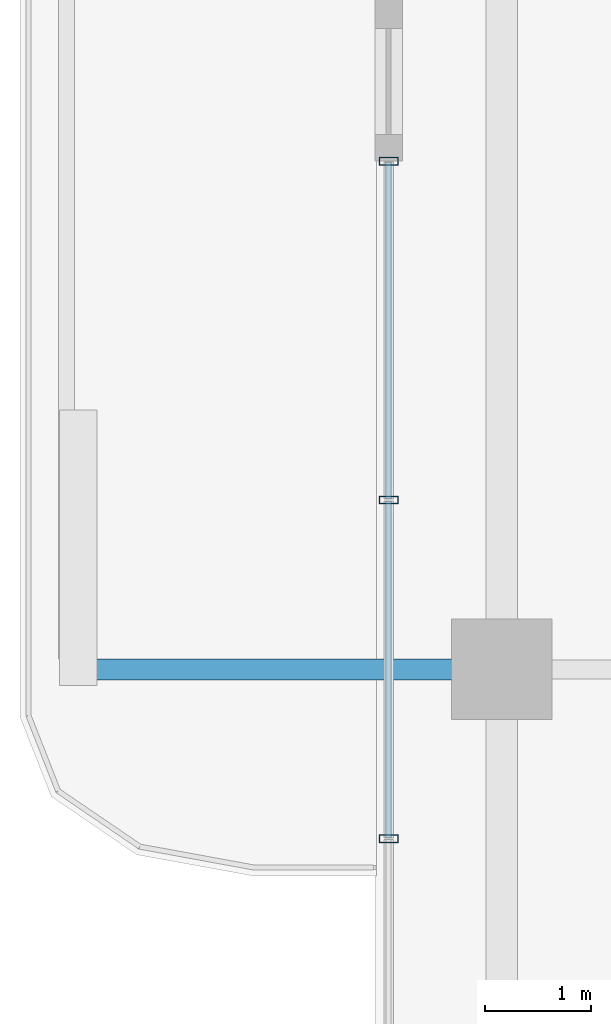
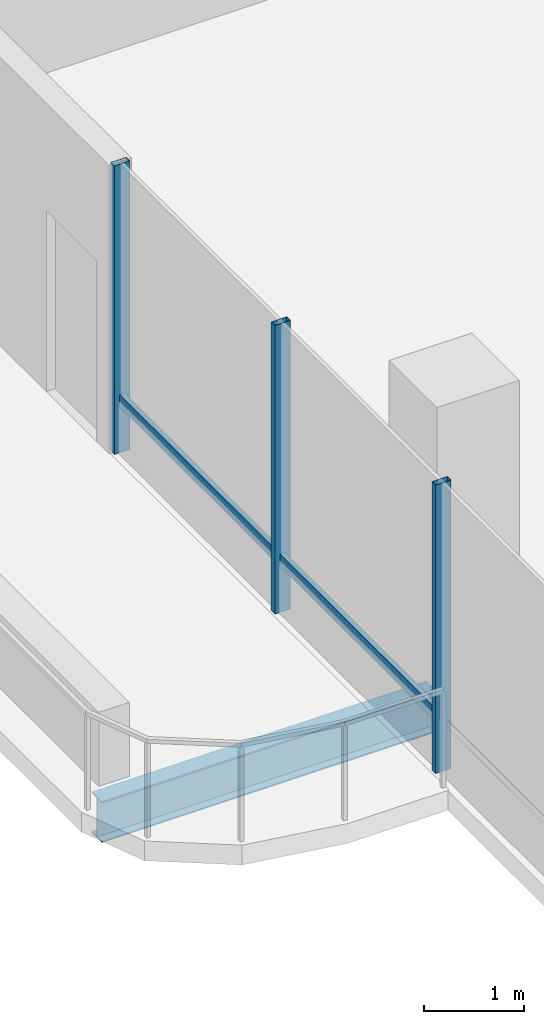
# One storey, part 6 of 17: 5 members, 1 beam, 1 element without a shape of its own.
"""IFC4 building model written with IfcOpenShell, lengths in metres."""

from ifc_helpers import new_model, si_unit, direction, frame, origin, origin_2d, place, context, subcontext, project, spatial, hollow_rectangle, i_section, extrude, material, layer, layer_set, material_profile, profile_set, type_object, element, aggregate, save


model = new_model("IFC4")

# Units and contexts
model_context = context("Model", 3, precision=1e-05, world=origin(), true_north=direction((0.0, 1.0)))
body_context = subcontext(model_context, "Body", "Model", "MODEL_VIEW")
ifc_project = project(units=[si_unit("LENGTHUNIT", "METRE"), si_unit("AREAUNIT", "SQUARE_METRE"), si_unit("VOLUMEUNIT", "CUBIC_METRE"), si_unit("PLANEANGLEUNIT", "RADIAN"), si_unit("MASSUNIT", "GRAM", prefix="KILO")], contexts=[model_context])

# Site, building, storey
site_placement = place(None, origin())
site = spatial("IfcSite", under=ifc_project, at=site_placement, CompositionType="ELEMENT")
building_placement = place(site_placement, origin())
building = spatial("IfcBuilding", under=site, at=building_placement, Name="Belovzor Exchange Tower", CompositionType="ELEMENT")
storey_placement = place(building_placement, frame((0.0, 0.0, 325.5)))
storey = spatial("IfcBuildingStorey", under=building, at=storey_placement, Name="L81", CompositionType="ELEMENT", Elevation=325.5)

# Beam
ifc_material_1 = material(Name="Steel S355", Category="steel")
ifc_material_profile_1 = material_profile(ifc_material_1, i_section(OverallWidth=0.199951171875, OverallDepth=0.5, WebThickness=0.01025390625, FlangeThickness=0.01611328125, at=origin_2d()))
ifc_profile_set_1 = profile_set([ifc_material_profile_1], Name="Steel S355")
beam_type = type_object("IfcBeamType", Name="Planted Balcony Cantilever Beam IPE 500", PredefinedType="BEAM", material=ifc_profile_set_1)
beam_placement = place(storey_placement, frame((6.93896484375, 28.800048828125, -0.489990234375), z_axis=(-1.0, 0.0, 0.0), x_axis=(0.0, -1.0, 0.0)))
element("IfcBeam", 1, at=beam_placement, inside=storey, type_object=beam_type, Name="BC-500 Planted Balcony Cantilever Beam IPE 500", PredefinedType="BEAM", context=body_context, shape_type="SweptSolid", body=[
    extrude(i_section(OverallWidth=0.199951171875, OverallDepth=0.5, WebThickness=0.01025390625, FlangeThickness=0.01611328125, at=origin_2d()), origin(), (0.0, 0.0, 1.0), 3.849853515625),
])

# Curtain wall, members
ifc_material_2 = material(Name="Anodised Aluminium Framing", Category="aluminium")
ifc_layer = layer(ifc_material_2, 0.179931640625)
ifc_layer_set = layer_set([ifc_layer], Name="Anodised Aluminium Framing")
curtain_wall_type = type_object("IfcCurtainWallType", Name="Recessed Loggia Low-Iron Triple-Glazed Curtain Wall", PredefinedType="NOTDEFINED", material=ifc_layer_set)
curtain_wall_placement = place(storey_placement, origin())
curtain_wall = element("IfcCurtainWall", 2, at=curtain_wall_placement, inside=storey, type_object=curtain_wall_type, Name="CW3 Recessed Loggia Low-Iron Triple-Glazed Curtain Wall L81", PredefinedType="NOTDEFINED")
ifc_material_3 = material(Name="Steel S355", Category="steel")
ifc_material_profile_2 = material_profile(ifc_material_3, hollow_rectangle(XDim=0.074951171875, YDim=0.179931640625, WallThickness=0.0048828125, at=origin_2d()))
ifc_profile_set_2 = profile_set([ifc_material_profile_2], Name="Steel S355")
member_type_1 = type_object("IfcMemberType", Name="Thermally Broken Curtain Wall Mullion 180x75", PredefinedType="MULLION", material=ifc_profile_set_2)
member_1_placement = place(storey_placement, frame((6.1298828125, 27.199951171875, 0.0), z_axis=(0.0, 0.0, 1.0), x_axis=(0.0, 1.0, 0.0)))
member_1 = element("IfcMember", 3, at=member_1_placement, type_object=member_type_1, Name="CW-M180 Curtain Wall Mullion 2", PredefinedType="MULLION", context=body_context, shape_type="SweptSolid", body=[
    extrude(hollow_rectangle(XDim=0.074951171875, YDim=0.179931640625, WallThickness=0.0048828125, at=origin_2d()), origin(), (0.0, 0.0, 1.0), 3.510009765625),
])
member_2_placement = place(storey_placement, frame((6.1298828125, 30.39990234375, 0.0), z_axis=(0.0, 0.0, 1.0), x_axis=(0.0, 1.0, 0.0)))
member_2 = element("IfcMember", 4, at=member_2_placement, type_object=member_type_1, Name="CW-M180 Curtain Wall Mullion 3", PredefinedType="MULLION", context=body_context, shape_type="SweptSolid", body=[
    extrude(hollow_rectangle(XDim=0.074951171875, YDim=0.179931640625, WallThickness=0.0048828125, at=origin_2d()), origin(), (0.0, 0.0, 1.0), 3.510009765625),
])
member_3_placement = place(storey_placement, frame((6.1298828125, 33.60009765625, 0.0), z_axis=(0.0, 0.0, 1.0), x_axis=(0.0, 1.0, 0.0)))
member_3 = element("IfcMember", 5, at=member_3_placement, type_object=member_type_1, Name="CW-M180 Curtain Wall Mullion 4", PredefinedType="MULLION", context=body_context, shape_type="SweptSolid", body=[
    extrude(hollow_rectangle(XDim=0.074951171875, YDim=0.179931640625, WallThickness=0.0048828125, at=origin_2d()), origin(), (0.0, 0.0, 1.0), 3.510009765625),
])
ifc_material_4 = material(Name="Steel S355", Category="steel")
ifc_material_profile_3 = material_profile(ifc_material_4, hollow_rectangle(XDim=0.06005859375, YDim=0.14990234375, WallThickness=0.00390625, at=origin_2d()))
ifc_profile_set_3 = profile_set([ifc_material_profile_3], Name="Steel S355")
member_type_2 = type_object("IfcMemberType", Name="Thermally Broken Curtain Wall Transom 150x60", PredefinedType="USERDEFINED", material=ifc_profile_set_3)
member_4_placement = place(storey_placement, frame((6.1298828125, 27.2080078125, 0.632080078125), z_axis=(0.0, 1.0, 0.0), x_axis=(-1.0, 0.0, 0.0)))
member_4 = element("IfcMember", 6, at=member_4_placement, type_object=member_type_2, Name="CW-T150 Curtain Wall Transom 2", ObjectType="TRANSOM", PredefinedType="USERDEFINED", context=body_context, shape_type="SweptSolid", body=[
    extrude(hollow_rectangle(XDim=0.06005859375, YDim=0.14990234375, WallThickness=0.00390625, at=origin_2d()), origin(), (0.0, 0.0, 1.0), 3.18408203125),
])
member_5_placement = place(storey_placement, frame((6.1298828125, 30.407958984375, 0.632080078125), z_axis=(0.0, 1.0, 0.0), x_axis=(-1.0, 0.0, 0.0)))
member_5 = element("IfcMember", 7, at=member_5_placement, type_object=member_type_2, Name="CW-T150 Curtain Wall Transom 3", ObjectType="TRANSOM", PredefinedType="USERDEFINED", context=body_context, shape_type="SweptSolid", body=[
    extrude(hollow_rectangle(XDim=0.06005859375, YDim=0.14990234375, WallThickness=0.00390625, at=origin_2d()), origin(), (0.0, 0.0, 1.0), 3.18408203125),
])
aggregate(curtain_wall, [member_1, member_2, member_3, member_4, member_5])

save(model, "model.ifc")
